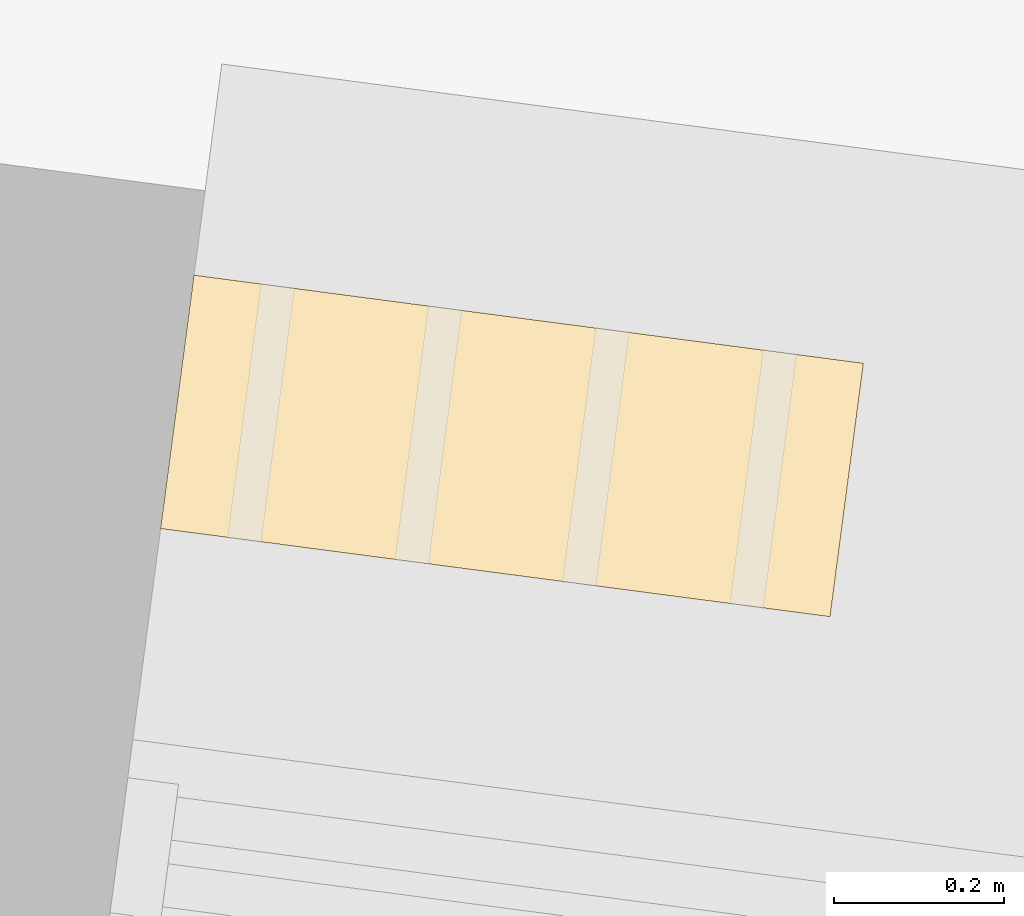
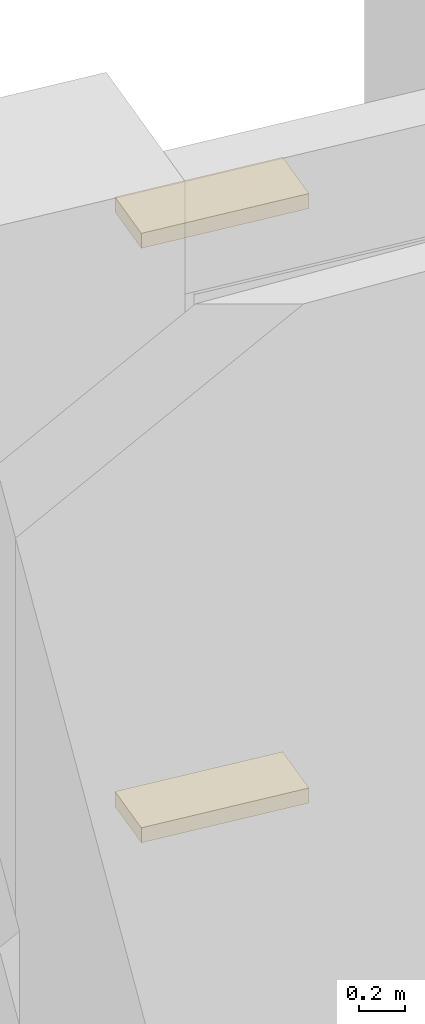
# One storey, part 85 of 85: 2 coverings.
"""IFC4 building model written with IfcOpenShell, lengths in metres."""

from ifc_helpers import new_model, si_unit, direction, frame, origin, origin_2d, place, context, subcontext, project, spatial, rectangle, extrude, material, type_object, element, save


model = new_model("IFC4")

# Units and contexts
model_context = context("Model", 3, precision=1e-05, world=origin(), true_north=direction((0.0, 1.0)))
body_context = subcontext(model_context, "Body", "Model", "MODEL_VIEW")
ifc_project = project(units=[si_unit("LENGTHUNIT", "METRE"), si_unit("AREAUNIT", "SQUARE_METRE"), si_unit("VOLUMEUNIT", "CUBIC_METRE"), si_unit("PLANEANGLEUNIT", "RADIAN"), si_unit("MASSUNIT", "GRAM", prefix="KILO")], contexts=[model_context])

# Site, building, storey
site_placement = place(None, origin())
site = spatial("IfcSite", under=ifc_project, at=site_placement, CompositionType="ELEMENT")
building_placement = place(site_placement, origin())
building = spatial("IfcBuilding", under=site, at=building_placement, Name="Volute Hill Aquarium", CompositionType="ELEMENT")
storey_placement = place(building_placement, origin())
storey = spatial("IfcBuildingStorey", under=building, at=storey_placement, Name="L01", CompositionType="ELEMENT", Elevation=0.0)

# Coverings
ifc_material = material(Name="Aluminium", Category="aluminium")
covering_type = type_object("IfcCoveringType", Name="Plant louvre slat rail 300x80", PredefinedType="CLADDING", material=ifc_material)
for number, where, z_axis, x_axis, name in (
    (1, (5.939453125, 47.384765625, 0.75), (0.0, 0.0, 1.0), (-0.991442570657, 0.130543590761, 0.0), "Plant louvre slat rail S5 L01 10.1"),
    (2, (5.939453125, 47.384765625, 3.919921875), (0.0, 0.0, 1.0), (-0.991442570657, 0.130543590761, 0.0), "Plant louvre slat rail S5 L01 10.2"),
):
    element("IfcCovering", number, at=place(storey_placement, frame(where, z_axis=z_axis, x_axis=x_axis)), inside=storey, type_object=covering_type, Name=name, PredefinedType="CLADDING", context=body_context, shape_type="SweptSolid", body=[
        extrude(rectangle(XDim=0.792724609375, YDim=0.300048828125, at=origin_2d()), origin(), (0.0, 0.0, 1.0), 0.080078125),
    ])

save(model, "model.ifc")
